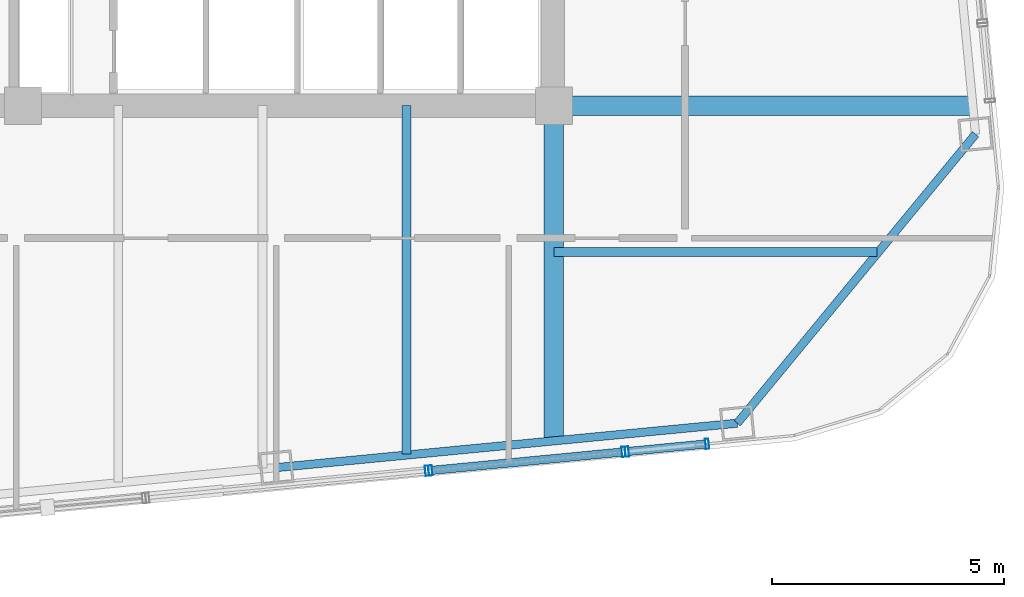
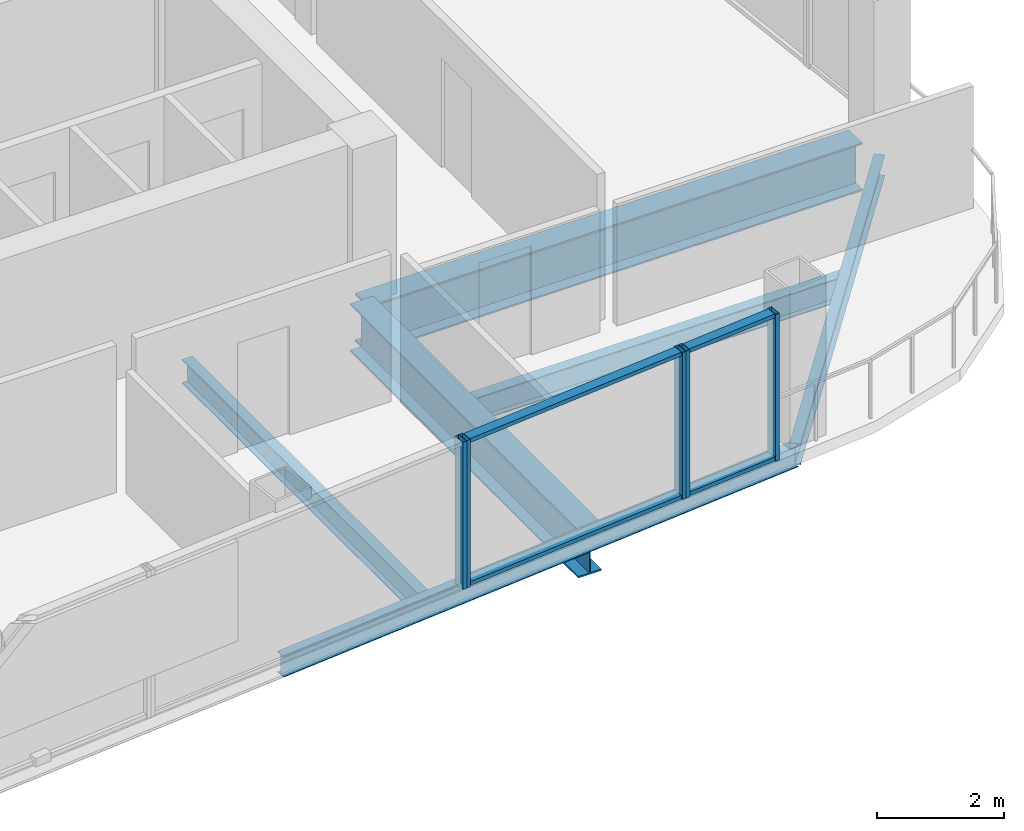
# One storey, part 9 of 22: 9 members, 6 beams, 3 elements without a shape of their own.
"""IFC4 building model written with IfcOpenShell, lengths in metres."""

from ifc_helpers import new_model, si_unit, direction, frame, origin, origin_2d, place, context, subcontext, project, spatial, hollow_rectangle, i_section, extrude, material, layer, layer_set, material_profile, profile_set, type_object, element, aggregate, save


model = new_model("IFC4")

# Units and contexts
model_context = context("Model", 3, precision=1e-05, world=origin(), true_north=direction((0.0, 1.0)))
body_context = subcontext(model_context, "Body", "Model", "MODEL_VIEW")
ifc_project = project(units=[si_unit("LENGTHUNIT", "METRE"), si_unit("AREAUNIT", "SQUARE_METRE"), si_unit("VOLUMEUNIT", "CUBIC_METRE"), si_unit("PLANEANGLEUNIT", "RADIAN"), si_unit("MASSUNIT", "GRAM", prefix="KILO")], contexts=[model_context])

# Site, building, storey
site_placement = place(None, origin())
site = spatial("IfcSite", under=ifc_project, at=site_placement, CompositionType="ELEMENT")
building_placement = place(site_placement, origin())
building = spatial("IfcBuilding", under=site, at=building_placement, Name="Qhalaya Broadcast Tower", CompositionType="ELEMENT")
storey_placement = place(building_placement, frame((0.0, 0.0, 171.39990234375)))
storey = spatial("IfcBuildingStorey", under=building, at=storey_placement, Name="L50", CompositionType="ELEMENT", Elevation=171.39990234375)

# Beams
ifc_material_1 = material(Name="Structural Steel ASTM A992 Grade 50", Category="steel")
ifc_material_profile_1 = material_profile(ifc_material_1, i_section(OverallWidth=0.19189453125, OverallDepth=0.462890625, WebThickness=0.010498046875, FlangeThickness=0.017578125, at=origin_2d()), Name="W18X60")
ifc_profile_set_1 = profile_set([ifc_material_profile_1], Name="Structural Steel ASTM A992 Grade 50")
beam_type_1 = type_object("IfcBeamType", Name="Composite Floor Joist J03", PredefinedType="JOIST", material=ifc_profile_set_1)
beam_1_placement = place(storey_placement, frame((6.199951171875, -16.24755859375, -0.451416015625), z_axis=(0.0, 1.0, 0.0), x_axis=(-1.0, 0.0, 0.0)))
element("IfcBeam", 1, at=beam_1_placement, inside=storey, type_object=beam_type_1, Name="L50 J03 L50-JNS5-1", PredefinedType="JOIST", context=body_context, shape_type="SweptSolid", body=[
    extrude(i_section(OverallWidth=0.19189453125, OverallDepth=0.462890625, WebThickness=0.010498046875, FlangeThickness=0.017578125, at=origin_2d()), origin(), (0.0, 0.0, 1.0), 7.49755859375),
])
beam_2_placement = place(storey_placement, frame((9.375, -11.89990234375, -0.451416015625), z_axis=(1.0, 0.0, 0.0), x_axis=(0.0, 1.0, 0.0)))
element("IfcBeam", 2, at=beam_2_placement, inside=storey, type_object=beam_type_1, Name="L50 J03 L50-JWE2E-1", PredefinedType="JOIST", context=body_context, shape_type="SweptSolid", body=[
    extrude(i_section(OverallWidth=0.19189453125, OverallDepth=0.462890625, WebThickness=0.010498046875, FlangeThickness=0.017578125, at=origin_2d()), origin(), (0.0, 0.0, 1.0), 6.95458984375),
])
ifc_material_profile_2 = material_profile(ifc_material_1, i_section(OverallWidth=0.4189453125, OverallDepth=0.927001953125, WebThickness=0.019287109375, FlangeThickness=0.031982421875, at=origin_2d()), Name="W36X231")
ifc_profile_set_2 = profile_set([ifc_material_profile_2], Name="Structural Steel ASTM A992 Grade 50")
beam_type_2 = type_object("IfcBeamType", Name="Mid Block Primary Girder PG3", PredefinedType="USERDEFINED", material=ifc_profile_set_2)
beam_3_placement = place(storey_placement, frame((9.375, -15.94189453125, -0.683349609375), z_axis=(0.0, 1.0, 0.0), x_axis=(-1.0, 0.0, 0.0)))
element("IfcBeam", 3, at=beam_3_placement, inside=storey, type_object=beam_type_2, Name="L50 PG3 L50-PGXS2-1", ObjectType="GIRDER", PredefinedType="USERDEFINED", context=body_context, shape_type="SweptSolid", body=[
    extrude(i_section(OverallWidth=0.4189453125, OverallDepth=0.927001953125, WebThickness=0.019287109375, FlangeThickness=0.031982421875, at=origin_2d()), origin(), (0.0, 0.0, 1.0), 7.19189453125),
])
beam_4_placement = place(storey_placement, frame((9.375, -8.75, -0.683349609375), z_axis=(1.0, 0.0, 0.0), x_axis=(0.0, 1.0, 0.0)))
element("IfcBeam", 4, at=beam_4_placement, inside=storey, type_object=beam_type_2, Name="L50 PG3 L50-PGYE1-1", ObjectType="GIRDER", PredefinedType="USERDEFINED", context=body_context, shape_type="SweptSolid", body=[
    extrude(i_section(OverallWidth=0.4189453125, OverallDepth=0.927001953125, WebThickness=0.019287109375, FlangeThickness=0.031982421875, at=origin_2d()), origin(), (0.0, 0.0, 1.0), 8.993896484375),
])

# Curtain wall, member
ifc_material_2 = material(Name="Fired Architectural Terracotta", Category="masonry")
ifc_layer_1 = layer(ifc_material_2, 0.219970703125, Name="Fired Architectural Terracotta")
ifc_layer_set_1 = layer_set([ifc_layer_1], Name="Fired Architectural Terracotta")
curtain_wall_type_1 = type_object("IfcCurtainWallType", Name="Block-Cap Unitised Terracotta Spandrel Wall CW-07", PredefinedType="NOTDEFINED", material=ifc_layer_set_1)
curtain_wall_1_placement = place(storey_placement, origin())
curtain_wall_1 = element("IfcCurtainWall", 5, at=curtain_wall_1_placement, inside=storey, type_object=curtain_wall_type_1, Name="L50 Unitised Curtain Wall L50-CW-S5", PredefinedType="NOTDEFINED")
ifc_material_3 = material(Name="Anodised Aluminium 6063-T6", Category="aluminium")
ifc_material_profile_3 = material_profile(ifc_material_3, hollow_rectangle(XDim=0.074951171875, YDim=0.219970703125, WallThickness=0.00390625, at=origin_2d()), Name="ALU-MUL 75x220x4")
ifc_profile_set_3 = profile_set([ifc_material_profile_3], Name="Anodised Aluminium 6063-T6")
member_type_1 = type_object("IfcMemberType", Name="Unitised Curtain-Wall Mullion M01", PredefinedType="MULLION", material=ifc_profile_set_3)
member_1_placement = place(storey_placement, frame((6.642333984375, -16.606689453125, 0.0), z_axis=(0.0, 0.0, 1.0), x_axis=(0.995395960619, 0.095848221597, 0.0)))
member_1 = element("IfcMember", 6, at=member_1_placement, type_object=member_type_1, Name="CW-07 mullion 2", PredefinedType="MULLION", context=body_context, shape_type="SweptSolid", body=[
    extrude(hollow_rectangle(XDim=0.074951171875, YDim=0.219970703125, WallThickness=0.00390625, at=origin_2d()), origin(), (0.0, 0.0, 1.0), 2.830078125),
])
aggregate(curtain_wall_1, [member_1])

# Curtain wall, members
ifc_material_4 = material(Name="Solar-Control Low-E Triple Glazing", Category="glass")
ifc_layer_2 = layer(ifc_material_4, 0.219970703125, Name="Solar-Control Low-E Triple Glazing")
ifc_layer_set_2 = layer_set([ifc_layer_2], Name="Solar-Control Low-E Triple Glazing")
curtain_wall_type_2 = type_object("IfcCurtainWallType", Name="Even-Block 4-Storey Double-Module Curtain Wall CW-03", PredefinedType="NOTDEFINED", material=ifc_layer_set_2)
curtain_wall_2_placement = place(storey_placement, origin())
curtain_wall_2 = element("IfcCurtainWall", 7, at=curtain_wall_2_placement, inside=storey, type_object=curtain_wall_type_2, Name="L50 Unitised Curtain Wall L50-CW-S6", PredefinedType="NOTDEFINED")
member_2_placement = place(storey_placement, frame((6.717041015625, -16.599609375, 0.0), z_axis=(0.0, 0.0, 1.0), x_axis=(0.995397339057, 0.095833905262, 0.0)))
member_2 = element("IfcMember", 8, at=member_2_placement, type_object=member_type_1, Name="CW-03 mullion 1", PredefinedType="MULLION", context=body_context, shape_type="SweptSolid", body=[
    extrude(hollow_rectangle(XDim=0.074951171875, YDim=0.219970703125, WallThickness=0.00390625, at=origin_2d()), origin(), (0.0, 0.0, 1.0), 2.830078125),
])
member_3_placement = place(storey_placement, frame((10.872802734375, -16.199462890625, 0.0), z_axis=(0.0, 0.0, 1.0), x_axis=(0.995397339057, 0.095833905262, 0.0)))
member_3 = element("IfcMember", 9, at=member_3_placement, type_object=member_type_1, Name="CW-03 mullion 2", PredefinedType="MULLION", context=body_context, shape_type="SweptSolid", body=[
    extrude(hollow_rectangle(XDim=0.074951171875, YDim=0.219970703125, WallThickness=0.00390625, at=origin_2d()), origin(), (0.0, 0.0, 1.0), 2.830078125),
])

curtain_wall_3_placement = place(storey_placement, origin())
curtain_wall_3 = element("IfcCurtainWall", 10, at=curtain_wall_3_placement, inside=storey, type_object=curtain_wall_type_1, Name="L50 Unitised Curtain Wall L50-CW-S7", PredefinedType="NOTDEFINED")
member_4_placement = place(storey_placement, frame((10.947509765625, -16.1923828125, 0.0), z_axis=(0.0, 0.0, 1.0), x_axis=(0.995395236376, 0.095855742651, 0.0)))
member_4 = element("IfcMember", 11, at=member_4_placement, type_object=member_type_1, Name="CW-07 mullion 1", PredefinedType="MULLION", context=body_context, shape_type="SweptSolid", body=[
    extrude(hollow_rectangle(XDim=0.074951171875, YDim=0.219970703125, WallThickness=0.00390625, at=origin_2d()), origin(), (0.0, 0.0, 1.0), 2.830078125),
])
member_5_placement = place(storey_placement, frame((12.67236328125, -16.026123046875, 0.0), z_axis=(0.0, 0.0, 1.0), x_axis=(0.995395236376, 0.095855742651, 0.0)))
member_5 = element("IfcMember", 12, at=member_5_placement, type_object=member_type_1, Name="CW-07 mullion 2", PredefinedType="MULLION", context=body_context, shape_type="SweptSolid", body=[
    extrude(hollow_rectangle(XDim=0.074951171875, YDim=0.219970703125, WallThickness=0.00390625, at=origin_2d()), origin(), (0.0, 0.0, 1.0), 2.830078125),
])

# Member
ifc_material_profile_4 = material_profile(ifc_material_3, hollow_rectangle(XDim=0.074951171875, YDim=0.179931640625, WallThickness=0.00390625, at=origin_2d()), Name="ALU-TRN 75x180x4")
ifc_profile_set_4 = profile_set([ifc_material_profile_4], Name="Anodised Aluminium 6063-T6")
member_type_2 = type_object("IfcMemberType", Name="Unitised Curtain-Wall Transom T01", PredefinedType="USERDEFINED", material=ifc_profile_set_4)
member_6_placement = place(storey_placement, frame((6.75439453125, -16.595947265625, 0.03759765625), z_axis=(0.995399423143, 0.095812256032, 0.0), x_axis=(0.0, 0.0, 1.0)))
member_6 = element("IfcMember", 13, at=member_6_placement, type_object=member_type_2, Name="CW-03 transom 1.1", ObjectType="TRANSOM", PredefinedType="USERDEFINED", context=body_context, shape_type="SweptSolid", body=[
    extrude(hollow_rectangle(XDim=0.074951171875, YDim=0.179931640625, WallThickness=0.00390625, at=origin_2d()), origin(), (0.0, 0.0, 1.0), 4.099853515625),
])

member_7_placement = place(storey_placement, frame((6.75439453125, -16.595947265625, 2.79248046875), z_axis=(0.995399423143, 0.095812256032, 0.0), x_axis=(0.0, 0.0, 1.0)))
member_7 = element("IfcMember", 14, at=member_7_placement, type_object=member_type_2, Name="CW-03 transom 1.2", ObjectType="TRANSOM", PredefinedType="USERDEFINED", context=body_context, shape_type="SweptSolid", body=[
    extrude(hollow_rectangle(XDim=0.074951171875, YDim=0.179931640625, WallThickness=0.00390625, at=origin_2d()), origin(), (0.0, 0.0, 1.0), 4.099853515625),
])

aggregate(curtain_wall_2, [member_2, member_3, member_6, member_7])

member_8_placement = place(storey_placement, frame((10.98486328125, -16.188720703125, 0.03759765625), z_axis=(0.995394989671, 0.095858304479, 0.0), x_axis=(0.0, 0.0, 1.0)))
member_8 = element("IfcMember", 15, at=member_8_placement, type_object=member_type_2, Name="CW-07 transom 1.1", ObjectType="TRANSOM", PredefinedType="USERDEFINED", context=body_context, shape_type="SweptSolid", body=[
    extrude(hollow_rectangle(XDim=0.074951171875, YDim=0.179931640625, WallThickness=0.00390625, at=origin_2d()), origin(), (0.0, 0.0, 1.0), 1.657958984375),
])

member_9_placement = place(storey_placement, frame((10.98486328125, -16.188720703125, 2.79248046875), z_axis=(0.995394989671, 0.095858304479, 0.0), x_axis=(0.0, 0.0, 1.0)))
member_9 = element("IfcMember", 16, at=member_9_placement, type_object=member_type_2, Name="CW-07 transom 1.2", ObjectType="TRANSOM", PredefinedType="USERDEFINED", context=body_context, shape_type="SweptSolid", body=[
    extrude(hollow_rectangle(XDim=0.074951171875, YDim=0.179931640625, WallThickness=0.00390625, at=origin_2d()), origin(), (0.0, 0.0, 1.0), 1.657958984375),
])

aggregate(curtain_wall_3, [member_4, member_5, member_8, member_9])

# Beams
ifc_material_profile_5 = material_profile(ifc_material_1, i_section(OverallWidth=0.177978515625, OverallDepth=0.406005859375, WebThickness=0.0078125, FlangeThickness=0.0126953125, at=origin_2d()), Name="W16X40")
ifc_profile_set_5 = profile_set([ifc_material_profile_5], Name="Structural Steel ASTM A992 Grade 50")
beam_type_3 = type_object("IfcBeamType", Name="Upper Perimeter Spandrel Beam SP2", PredefinedType="SPANDREL", material=ifc_profile_set_5)
beam_5_placement = place(storey_placement, frame((3.399658203125, -16.537353515625, -0.4228515625), z_axis=(0.995395510024, 0.095852900965, 0.0), x_axis=(-0.095852900965, 0.995395510024, 0.0)))
element("IfcBeam", 17, at=beam_5_placement, inside=storey, type_object=beam_type_3, Name="L50 SP2 L50-SPR-03", PredefinedType="SPANDREL", context=body_context, shape_type="SweptSolid", body=[
    extrude(i_section(OverallWidth=0.177978515625, OverallDepth=0.406005859375, WebThickness=0.0078125, FlangeThickness=0.0126953125, at=origin_2d()), origin(), (0.0, 0.0, 1.0), 9.966552734375),
])
beam_6_placement = place(storey_placement, frame((13.3203125, -15.58203125, -0.4228515625), z_axis=(0.636085107008, 0.771618906354, 0.0), x_axis=(-0.771618906354, 0.636085107008, 0.0)))
element("IfcBeam", 18, at=beam_6_placement, inside=storey, type_object=beam_type_3, Name="L50 SP2 L50-SPR-04", PredefinedType="SPANDREL", context=body_context, shape_type="SweptSolid", body=[
    extrude(i_section(OverallWidth=0.177978515625, OverallDepth=0.406005859375, WebThickness=0.0078125, FlangeThickness=0.0126953125, at=origin_2d()), origin(), (0.0, 0.0, 1.0), 8.06103515625),
])

save(model, "model.ifc")
